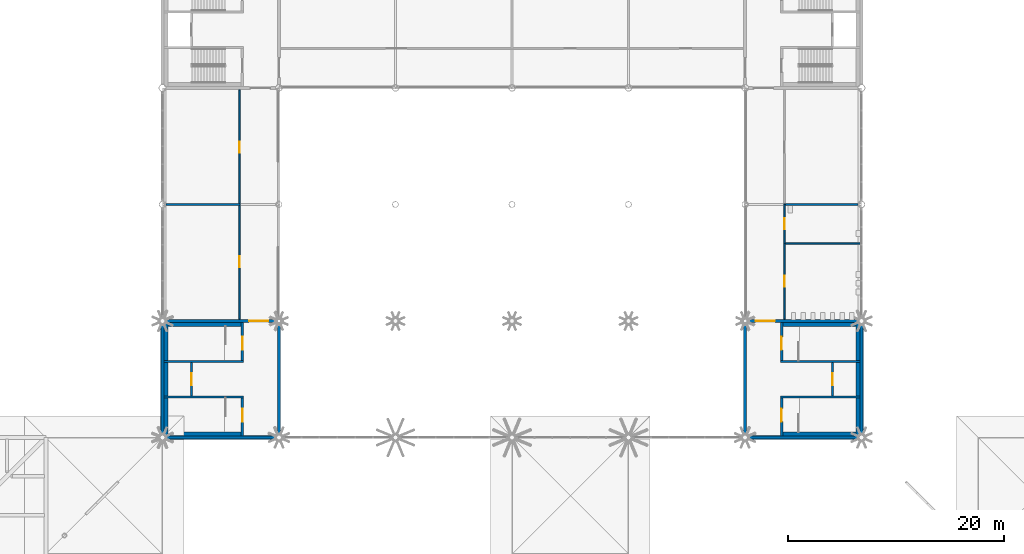
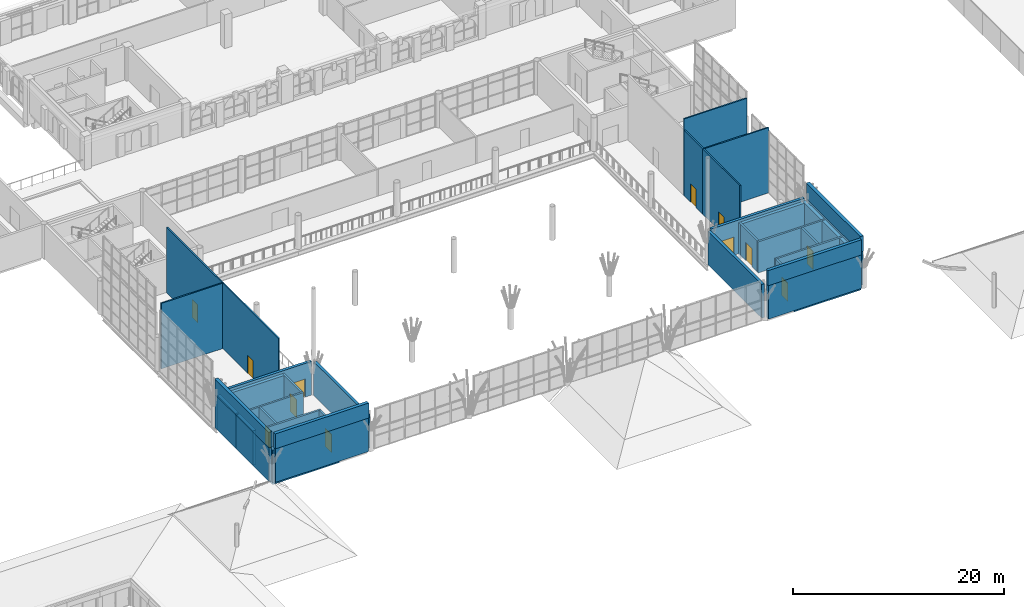
# One storey, part 68 of 95: 39 walls, 12 doors, 12 openings.
"""IFC4 building model written with IfcOpenShell, lengths in metres."""

from ifc_helpers import new_model, si_unit, direction, frame, frame_2d, origin, place, context, subcontext, project, spatial, rectangle, extrude, material, layer, layer_set, type_object, element, fill, save


model = new_model("IFC4")

# Units and contexts
model_context = context("Model", 3, precision=1e-05, world=origin(), true_north=direction((0.0, 1.0)))
body_context = subcontext(model_context, "Body", "Model", "MODEL_VIEW")
ifc_project = project(units=[si_unit("LENGTHUNIT", "METRE"), si_unit("AREAUNIT", "SQUARE_METRE"), si_unit("VOLUMEUNIT", "CUBIC_METRE"), si_unit("PLANEANGLEUNIT", "RADIAN"), si_unit("MASSUNIT", "GRAM", prefix="KILO")], contexts=[model_context])

# Site, building, storey
site_placement = place(None, origin())
site = spatial("IfcSite", under=ifc_project, at=site_placement, CompositionType="ELEMENT")
building_placement = place(site_placement, origin())
building = spatial("IfcBuilding", under=site, at=building_placement, Name="Magnolia Steps Interchange", CompositionType="ELEMENT")
storey_placement = place(building_placement, frame((0.0, 0.0, 4.800048828125)))
storey = spatial("IfcBuildingStorey", under=building, at=storey_placement, Name="L01", CompositionType="ELEMENT", Elevation=4.800048828125)

# Wall, opening, door
ifc_material_1 = material(Name="Concrete C35", Category="concrete")
ifc_layer_1 = layer(ifc_material_1, 0.199951171875)
ifc_layer_set_1 = layer_set([ifc_layer_1], Name="Core enclosure wall 200")
wall_type_1 = type_object("IfcWallType", Name="Core enclosure wall 200", PredefinedType="SOLIDWALL", material=ifc_layer_set_1)
wall_1_placement = place(storey_placement, frame((60.60009765625, 42.550048828125, 0.0), z_axis=(0.0, 0.0, 1.0), x_axis=(0.0, 1.0, 0.0)))
wall_1 = element("IfcWall", 1, at=wall_1_placement, inside=storey, type_object=wall_type_1, Name="L01 HC3 enclosure wall", PredefinedType="SOLIDWALL", context=body_context, shape_type="SweptSolid", body=[
    extrude(rectangle(XDim=3.5, YDim=0.199951171875, at=frame_2d((1.75, 0.0))), origin(), (0.0, 0.0, 1.0), 3.599853515625),
])
opening_1_placement = place(wall_1_placement, frame((1.324951171875, 0.0, 0.0)))
opening_1 = element("IfcOpeningElement", 2, at=opening_1_placement, cuts=wall_1, Name="Opening D-HC3-L01-1", PredefinedType="OPENING", context=body_context, shape_type="SweptSolid", body=[
    extrude(rectangle(XDim=1.199951171875, YDim=2.10009765625, at=frame_2d((0.60009765625, 1.050048828125))), frame((0.0, 0.10986328125, 0.0), z_axis=(0.0, -1.0, 0.0), x_axis=(1.0, 0.0, 0.0)), (0.0, 0.0, 1.0), 0.219970703125),
])
ifc_material_2 = material(Name="Painted steel", Category="steel")
door_type_1 = type_object("IfcDoorType", Name="Stair fire door 1200x2100", OperationType="NOTDEFINED", PredefinedType="DOOR", material=ifc_material_2)
door_1_placement = place(opening_1_placement, frame((1.199951171875, 0.0, 0.0), z_axis=(0.0, 0.0, 1.0), x_axis=(-1.0, 0.0, 0.0)))
door_1 = element("IfcDoor", 3, at=door_1_placement, inside=storey, type_object=door_type_1, Name="Stair door ST5 L01", OperationType="SINGLE_SWING_LEFT", OverallHeight=2.10009765625, OverallWidth=1.199951171875, PredefinedType="DOOR", context=body_context, shape_type="SweptSolid", body=[
    extrude(rectangle(XDim=1.199951171875, YDim=2.10009765625, at=frame_2d((0.60009765625, 1.050048828125))), frame((0.0, 0.02490234375, 0.0), z_axis=(0.0, -1.0, 0.0), x_axis=(1.0, 0.0, 0.0)), (0.0, 0.0, 1.0), 0.050048828125),
])
fill(opening_1, door_1)

# Wall
wall_2_placement = place(storey_placement, frame((60.699951171875, 46.14990234375, 0.0), z_axis=(0.0, 0.0, 1.0), x_axis=(-1.0, 0.0, 0.0)))
element("IfcWall", 4, at=wall_2_placement, inside=storey, type_object=wall_type_1, Name="L01 HC3 enclosure wall", PredefinedType="SOLIDWALL", context=body_context, shape_type="SweptSolid", body=[
    extrude(rectangle(XDim=7.349853515625, YDim=0.199951171875, at=frame_2d((3.6748046875, 0.0))), origin(), (0.0, 0.0, 1.0), 3.599853515625),
])

# Wall, opening, door
wall_3_placement = place(storey_placement, frame((55.89990234375, 46.25, 0.0), z_axis=(0.0, 0.0, 1.0), x_axis=(0.0, 1.0, 0.0)))
wall_3 = element("IfcWall", 5, at=wall_3_placement, inside=storey, type_object=wall_type_1, Name="L01 HC3 enclosure wall", PredefinedType="SOLIDWALL", context=body_context, shape_type="SweptSolid", body=[
    extrude(rectangle(XDim=3.10009765625, YDim=0.199951171875, at=frame_2d((1.550048828125, 0.0))), origin(), (0.0, 0.0, 1.0), 3.599853515625),
])
opening_2_placement = place(wall_3_placement, frame((1.0, 0.0, 0.0)))
opening_2 = element("IfcOpeningElement", 6, at=opening_2_placement, cuts=wall_3, Name="Opening LD", PredefinedType="OPENING", context=body_context, shape_type="SweptSolid", body=[
    extrude(rectangle(XDim=1.10009765625, YDim=2.10009765625, at=frame_2d((0.550048828125, 1.050048828125))), frame((0.0, 0.10986328125, 0.0), z_axis=(0.0, -1.0, 0.0), x_axis=(1.0, 0.0, 0.0)), (0.0, 0.0, 1.0), 0.219970703125),
])
ifc_material_3 = material(Name="Stainless steel grade 304", Category="steel")
door_type_2 = type_object("IfcDoorType", Name="Lift landing door 1100x2100", OperationType="DOUBLE_DOOR_SLIDING", PredefinedType="DOOR", material=ifc_material_3)
door_2_placement = place(opening_2_placement, frame((1.10009765625, 0.0, 0.0), z_axis=(0.0, 0.0, 1.0), x_axis=(-1.0, 0.0, 0.0)))
door_2 = element("IfcDoor", 7, at=door_2_placement, inside=storey, type_object=door_type_2, Name="Lift landing door LF3 L01", OperationType="DOUBLE_DOOR_SLIDING", OverallHeight=2.10009765625, OverallWidth=1.10009765625, PredefinedType="DOOR", context=body_context, shape_type="SweptSolid", body=[
    extrude(rectangle(XDim=1.10009765625, YDim=2.10009765625, at=frame_2d((0.550048828125, 1.050048828125))), frame((0.0, 0.02490234375, 0.0), z_axis=(0.0, -1.0, 0.0), x_axis=(1.0, 0.0, 0.0)), (0.0, 0.0, 1.0), 0.050048828125),
])
fill(opening_2, door_2)

# Wall
wall_4_placement = place(storey_placement, frame((60.699951171875, 49.449951171875, 0.0), z_axis=(0.0, 0.0, 1.0), x_axis=(-1.0, 0.0, 0.0)))
element("IfcWall", 8, at=wall_4_placement, inside=storey, type_object=wall_type_1, Name="L01 HC3 enclosure wall", PredefinedType="SOLIDWALL", context=body_context, shape_type="SweptSolid", body=[
    extrude(rectangle(XDim=7.349853515625, YDim=0.199951171875, at=frame_2d((3.6748046875, 0.0))), origin(), (0.0, 0.0, 1.0), 3.599853515625),
])

# Wall, opening, door
wall_5_placement = place(storey_placement, frame((60.60009765625, 49.550048828125, 0.0), z_axis=(0.0, 0.0, 1.0), x_axis=(0.0, 1.0, 0.0)))
wall_5 = element("IfcWall", 9, at=wall_5_placement, inside=storey, type_object=wall_type_1, Name="L01 HC3 enclosure wall", PredefinedType="SOLIDWALL", context=body_context, shape_type="SweptSolid", body=[
    extrude(rectangle(XDim=3.5, YDim=0.199951171875, at=frame_2d((1.75, 0.0))), origin(), (0.0, 0.0, 1.0), 3.599853515625),
])
opening_3_placement = place(wall_5_placement, frame((0.97509765625, 0.0, 0.0)))
opening_3 = element("IfcOpeningElement", 10, at=opening_3_placement, cuts=wall_5, Name="Opening D-HC3-L01-2", PredefinedType="OPENING", context=body_context, shape_type="SweptSolid", body=[
    extrude(rectangle(XDim=1.199951171875, YDim=2.10009765625, at=frame_2d((0.60009765625, 1.050048828125))), frame((0.0, 0.10986328125, 0.0), z_axis=(0.0, -1.0, 0.0), x_axis=(1.0, 0.0, 0.0)), (0.0, 0.0, 1.0), 0.219970703125),
])
door_3_placement = place(opening_3_placement, frame((1.199951171875, 0.0, 0.0), z_axis=(0.0, 0.0, 1.0), x_axis=(-1.0, 0.0, 0.0)))
door_3 = element("IfcDoor", 11, at=door_3_placement, inside=storey, type_object=door_type_1, Name="Stair door ST6 L01", OperationType="SINGLE_SWING_RIGHT", OverallHeight=2.10009765625, OverallWidth=1.199951171875, PredefinedType="DOOR", context=body_context, shape_type="SweptSolid", body=[
    extrude(rectangle(XDim=1.199951171875, YDim=2.10009765625, at=frame_2d((0.60009765625, 1.050048828125))), frame((0.0, 0.02490234375, 0.0), z_axis=(0.0, -1.0, 0.0), x_axis=(1.0, 0.0, 0.0)), (0.0, 0.0, 1.0), 0.050048828125),
])
fill(opening_3, door_3)

wall_6_placement = place(storey_placement, frame((110.60009765625, 53.050048828125, 0.0), z_axis=(0.0, 0.0, 1.0), x_axis=(0.0, -1.0, 0.0)))
wall_6 = element("IfcWall", 12, at=wall_6_placement, inside=storey, type_object=wall_type_1, Name="L01 HC4 enclosure wall", PredefinedType="SOLIDWALL", context=body_context, shape_type="SweptSolid", body=[
    extrude(rectangle(XDim=3.5, YDim=0.199951171875, at=frame_2d((1.75, 0.0))), origin(), (0.0, 0.0, 1.0), 3.599853515625),
])
opening_4_placement = place(wall_6_placement, frame((1.324951171875, 0.0, 0.0)))
opening_4 = element("IfcOpeningElement", 13, at=opening_4_placement, cuts=wall_6, Name="Opening D-HC4-L01-1", PredefinedType="OPENING", context=body_context, shape_type="SweptSolid", body=[
    extrude(rectangle(XDim=1.199951171875, YDim=2.10009765625, at=frame_2d((0.60009765625, 1.050048828125))), frame((0.0, 0.10986328125, 0.0), z_axis=(0.0, -1.0, 0.0), x_axis=(1.0, 0.0, 0.0)), (0.0, 0.0, 1.0), 0.219970703125),
])
door_4_placement = place(opening_4_placement, frame((1.199951171875, 0.0, 0.0), z_axis=(0.0, 0.0, 1.0), x_axis=(-1.0, 0.0, 0.0)))
door_4 = element("IfcDoor", 14, at=door_4_placement, inside=storey, type_object=door_type_1, Name="Stair door ST7 L01", OperationType="SINGLE_SWING_LEFT", OverallHeight=2.10009765625, OverallWidth=1.199951171875, PredefinedType="DOOR", context=body_context, shape_type="SweptSolid", body=[
    extrude(rectangle(XDim=1.199951171875, YDim=2.10009765625, at=frame_2d((0.60009765625, 1.050048828125))), frame((0.0, 0.02490234375, 0.0), z_axis=(0.0, -1.0, 0.0), x_axis=(1.0, 0.0, 0.0)), (0.0, 0.0, 1.0), 0.050048828125),
])
fill(opening_4, door_4)

# Wall
wall_7_placement = place(storey_placement, frame((110.5, 49.449951171875, 0.0), z_axis=(0.0, 0.0, 1.0), x_axis=(1.0, 0.0, 0.0)))
element("IfcWall", 15, at=wall_7_placement, inside=storey, type_object=wall_type_1, Name="L01 HC4 enclosure wall", PredefinedType="SOLIDWALL", context=body_context, shape_type="SweptSolid", body=[
    extrude(rectangle(XDim=7.35009765625, YDim=0.199951171875, at=frame_2d((3.675048828125, 0.0))), origin(), (0.0, 0.0, 1.0), 3.599853515625),
])

# Wall, opening, door
wall_8_placement = place(storey_placement, frame((115.300048828125, 49.35009765625, 0.0), z_axis=(0.0, 0.0, 1.0), x_axis=(0.0, -1.0, 0.0)))
wall_8 = element("IfcWall", 16, at=wall_8_placement, inside=storey, type_object=wall_type_1, Name="L01 HC4 enclosure wall", PredefinedType="SOLIDWALL", context=body_context, shape_type="SweptSolid", body=[
    extrude(rectangle(XDim=3.10009765625, YDim=0.199951171875, at=frame_2d((1.550048828125, 0.0))), origin(), (0.0, 0.0, 1.0), 3.599853515625),
])
opening_5_placement = place(wall_8_placement, frame((1.0, 0.0, 0.0)))
opening_5 = element("IfcOpeningElement", 17, at=opening_5_placement, cuts=wall_8, Name="Opening LD", PredefinedType="OPENING", context=body_context, shape_type="SweptSolid", body=[
    extrude(rectangle(XDim=1.10009765625, YDim=2.10009765625, at=frame_2d((0.550048828125, 1.050048828125))), frame((0.0, 0.10986328125, 0.0), z_axis=(0.0, -1.0, 0.0), x_axis=(1.0, 0.0, 0.0)), (0.0, 0.0, 1.0), 0.219970703125),
])
door_5_placement = place(opening_5_placement, frame((1.10009765625, 0.0, 0.0), z_axis=(0.0, 0.0, 1.0), x_axis=(-1.0, 0.0, 0.0)))
door_5 = element("IfcDoor", 18, at=door_5_placement, inside=storey, type_object=door_type_2, Name="Lift landing door LF4 L01", OperationType="DOUBLE_DOOR_SLIDING", OverallHeight=2.10009765625, OverallWidth=1.10009765625, PredefinedType="DOOR", context=body_context, shape_type="SweptSolid", body=[
    extrude(rectangle(XDim=1.10009765625, YDim=2.10009765625, at=frame_2d((0.550048828125, 1.050048828125))), frame((0.0, 0.02490234375, 0.0), z_axis=(0.0, -1.0, 0.0), x_axis=(1.0, 0.0, 0.0)), (0.0, 0.0, 1.0), 0.050048828125),
])
fill(opening_5, door_5)

# Wall
wall_9_placement = place(storey_placement, frame((110.5, 46.14990234375, 0.0), z_axis=(0.0, 0.0, 1.0), x_axis=(1.0, 0.0, 0.0)))
element("IfcWall", 19, at=wall_9_placement, inside=storey, type_object=wall_type_1, Name="L01 HC4 enclosure wall", PredefinedType="SOLIDWALL", context=body_context, shape_type="SweptSolid", body=[
    extrude(rectangle(XDim=7.35009765625, YDim=0.199951171875, at=frame_2d((3.675048828125, 0.0))), origin(), (0.0, 0.0, 1.0), 3.599853515625),
])

# Wall, opening, door
wall_10_placement = place(storey_placement, frame((110.60009765625, 46.050048828125, 0.0), z_axis=(0.0, 0.0, 1.0), x_axis=(0.0, -1.0, 0.0)))
wall_10 = element("IfcWall", 20, at=wall_10_placement, inside=storey, type_object=wall_type_1, Name="L01 HC4 enclosure wall", PredefinedType="SOLIDWALL", context=body_context, shape_type="SweptSolid", body=[
    extrude(rectangle(XDim=3.5, YDim=0.199951171875, at=frame_2d((1.75, 0.0))), origin(), (0.0, 0.0, 1.0), 3.599853515625),
])
opening_6_placement = place(wall_10_placement, frame((0.97509765625, 0.0, 0.0)))
opening_6 = element("IfcOpeningElement", 21, at=opening_6_placement, cuts=wall_10, Name="Opening D-HC4-L01-2", PredefinedType="OPENING", context=body_context, shape_type="SweptSolid", body=[
    extrude(rectangle(XDim=1.199951171875, YDim=2.10009765625, at=frame_2d((0.60009765625, 1.050048828125))), frame((0.0, 0.10986328125, 0.0), z_axis=(0.0, -1.0, 0.0), x_axis=(1.0, 0.0, 0.0)), (0.0, 0.0, 1.0), 0.219970703125),
])
door_6_placement = place(opening_6_placement, frame((1.199951171875, 0.0, 0.0), z_axis=(0.0, 0.0, 1.0), x_axis=(-1.0, 0.0, 0.0)))
door_6 = element("IfcDoor", 22, at=door_6_placement, inside=storey, type_object=door_type_1, Name="Stair door ST8 L01", OperationType="SINGLE_SWING_RIGHT", OverallHeight=2.10009765625, OverallWidth=1.199951171875, PredefinedType="DOOR", context=body_context, shape_type="SweptSolid", body=[
    extrude(rectangle(XDim=1.199951171875, YDim=2.10009765625, at=frame_2d((0.60009765625, 1.050048828125))), frame((0.0, 0.02490234375, 0.0), z_axis=(0.0, -1.0, 0.0), x_axis=(1.0, 0.0, 0.0)), (0.0, 0.0, 1.0), 0.050048828125),
])
fill(opening_6, door_6)

# Walls
ifc_material_4 = material(Name="Concrete C35", Category="concrete")
ifc_layer_2 = layer(ifc_material_4, 0.35009765625)
ifc_layer_set_2 = layer_set([ifc_layer_2], Name="Core lining wall 350")
wall_type_2 = type_object("IfcWallType", Name="Core lining wall 350", PredefinedType="SOLIDWALL", material=ifc_layer_set_2)
wall_11_placement = place(storey_placement, frame((60.699951171875, 42.72509765625, -0.400146484375), z_axis=(0.0, 0.0, 1.0), x_axis=(-1.0, 0.0, 0.0)))
element("IfcWall", 23, at=wall_11_placement, inside=storey, type_object=wall_type_2, Name="L01 HC3 stair lining wall", PredefinedType="SOLIDWALL", context=body_context, shape_type="SweptSolid", body=[
    extrude(rectangle(XDim=7.349853515625, YDim=0.35009765625, at=frame_2d((3.6748046875, 0.0))), origin(), (0.0, 0.0, 1.0), 4.0),
])
wall_12_placement = place(storey_placement, frame((53.52490234375, 42.550048828125, -0.400146484375), z_axis=(0.0, 0.0, 1.0), x_axis=(0.0, 1.0, 0.0)))
element("IfcWall", 24, at=wall_12_placement, inside=storey, type_object=wall_type_2, Name="L01 HC3 stair lining wall", PredefinedType="SOLIDWALL", context=body_context, shape_type="SweptSolid", body=[
    extrude(rectangle(XDim=3.5, YDim=0.35009765625, at=frame_2d((1.75, 0.0))), origin(), (0.0, 0.0, 1.0), 4.0),
])
wall_13_placement = place(storey_placement, frame((60.699951171875, 52.875, -0.400146484375), z_axis=(0.0, 0.0, 1.0), x_axis=(-1.0, 0.0, 0.0)))
element("IfcWall", 25, at=wall_13_placement, inside=storey, type_object=wall_type_2, Name="L01 HC3 stair lining wall", PredefinedType="SOLIDWALL", context=body_context, shape_type="SweptSolid", body=[
    extrude(rectangle(XDim=7.349853515625, YDim=0.35009765625, at=frame_2d((3.6748046875, 0.0))), origin(), (0.0, 0.0, 1.0), 4.0),
])
wall_14_placement = place(storey_placement, frame((53.52490234375, 49.550048828125, -0.400146484375), z_axis=(0.0, 0.0, 1.0), x_axis=(0.0, 1.0, 0.0)))
element("IfcWall", 26, at=wall_14_placement, inside=storey, type_object=wall_type_2, Name="L01 HC3 stair lining wall", PredefinedType="SOLIDWALL", context=body_context, shape_type="SweptSolid", body=[
    extrude(rectangle(XDim=3.5, YDim=0.35009765625, at=frame_2d((1.75, 0.0))), origin(), (0.0, 0.0, 1.0), 4.0),
])
wall_15_placement = place(storey_placement, frame((53.52490234375, 46.25, -0.400146484375), z_axis=(0.0, 0.0, 1.0), x_axis=(0.0, 1.0, 0.0)))
element("IfcWall", 27, at=wall_15_placement, inside=storey, type_object=wall_type_2, Name="L01 HC3 stair lining wall", PredefinedType="SOLIDWALL", context=body_context, shape_type="SweptSolid", body=[
    extrude(rectangle(XDim=3.10009765625, YDim=0.35009765625, at=frame_2d((1.550048828125, 0.0))), origin(), (0.0, 0.0, 1.0), 4.0),
])
wall_16_placement = place(storey_placement, frame((110.5, 52.875, -0.400146484375), z_axis=(0.0, 0.0, 1.0), x_axis=(1.0, 0.0, 0.0)))
element("IfcWall", 28, at=wall_16_placement, inside=storey, type_object=wall_type_2, Name="L01 HC4 stair lining wall", PredefinedType="SOLIDWALL", context=body_context, shape_type="SweptSolid", body=[
    extrude(rectangle(XDim=7.35009765625, YDim=0.35009765625, at=frame_2d((3.675048828125, 0.0))), origin(), (0.0, 0.0, 1.0), 4.0),
])
wall_17_placement = place(storey_placement, frame((117.675048828125, 53.050048828125, -0.400146484375), z_axis=(0.0, 0.0, 1.0), x_axis=(0.0, -1.0, 0.0)))
element("IfcWall", 29, at=wall_17_placement, inside=storey, type_object=wall_type_2, Name="L01 HC4 stair lining wall", PredefinedType="SOLIDWALL", context=body_context, shape_type="SweptSolid", body=[
    extrude(rectangle(XDim=3.5, YDim=0.35009765625, at=frame_2d((1.75, 0.0))), origin(), (0.0, 0.0, 1.0), 4.0),
])
wall_18_placement = place(storey_placement, frame((110.5, 42.72509765625, -0.400146484375), z_axis=(0.0, 0.0, 1.0), x_axis=(1.0, 0.0, 0.0)))
element("IfcWall", 30, at=wall_18_placement, inside=storey, type_object=wall_type_2, Name="L01 HC4 stair lining wall", PredefinedType="SOLIDWALL", context=body_context, shape_type="SweptSolid", body=[
    extrude(rectangle(XDim=7.35009765625, YDim=0.35009765625, at=frame_2d((3.675048828125, 0.0))), origin(), (0.0, 0.0, 1.0), 4.0),
])
wall_19_placement = place(storey_placement, frame((117.675048828125, 46.050048828125, -0.400146484375), z_axis=(0.0, 0.0, 1.0), x_axis=(0.0, -1.0, 0.0)))
element("IfcWall", 31, at=wall_19_placement, inside=storey, type_object=wall_type_2, Name="L01 HC4 stair lining wall", PredefinedType="SOLIDWALL", context=body_context, shape_type="SweptSolid", body=[
    extrude(rectangle(XDim=3.5, YDim=0.35009765625, at=frame_2d((1.75, 0.0))), origin(), (0.0, 0.0, 1.0), 4.0),
])
wall_20_placement = place(storey_placement, frame((117.675048828125, 49.35009765625, -0.400146484375), z_axis=(0.0, 0.0, 1.0), x_axis=(0.0, -1.0, 0.0)))
element("IfcWall", 32, at=wall_20_placement, inside=storey, type_object=wall_type_2, Name="L01 HC4 stair lining wall", PredefinedType="SOLIDWALL", context=body_context, shape_type="SweptSolid", body=[
    extrude(rectangle(XDim=3.10009765625, YDim=0.35009765625, at=frame_2d((1.550048828125, 0.0))), origin(), (0.0, 0.0, 1.0), 4.0),
])
ifc_material_5 = material(Name="Concrete C40", Category="concrete")
ifc_layer_3 = layer(ifc_material_5, 0.300048828125)
ifc_layer_set_3 = layer_set([ifc_layer_3], Name="Core wall 300")
wall_type_3 = type_object("IfcWallType", Name="Core wall 300", PredefinedType="SOLIDWALL", material=ifc_layer_set_3)
wall_21_placement = place(storey_placement, frame((53.5048828125, 42.39990234375, 0.0), z_axis=(0.0, 0.0, 1.0), x_axis=(1.0, 0.0, 0.0)))
element("IfcWall", 33, at=wall_21_placement, inside=storey, type_object=wall_type_3, Name="Core wall HC3", PredefinedType="SOLIDWALL", context=body_context, shape_type="SweptSolid", body=[
    extrude(rectangle(XDim=10.190185546875, YDim=0.300048828125, at=frame_2d((5.09521484375, 0.0))), origin(), (0.0, 0.0, 1.0), 3.89990234375),
])
wall_22_placement = place(storey_placement, frame((64.0, 42.705078125, 0.0), z_axis=(0.0, 0.0, 1.0), x_axis=(0.0, 1.0, 0.0)))
element("IfcWall", 34, at=wall_22_placement, inside=storey, type_object=wall_type_3, Name="Core wall HC3", PredefinedType="SOLIDWALL", context=body_context, shape_type="SweptSolid", body=[
    extrude(rectangle(XDim=10.21533203125, YDim=0.300048828125, at=frame_2d((5.107666015625, 0.0))), origin(), (0.0, 0.0, 1.0), 3.89990234375),
])

# Wall, opening, door
wall_23_placement = place(storey_placement, frame((63.720458984375, 53.199951171875, 0.0), z_axis=(0.0, 0.0, 1.0), x_axis=(-1.0, 0.0, 0.0)))
wall_23 = element("IfcWall", 35, at=wall_23_placement, inside=storey, type_object=wall_type_3, Name="Core wall HC3", PredefinedType="SOLIDWALL", context=body_context, shape_type="SweptSolid", body=[
    extrude(rectangle(XDim=10.215576171875, YDim=0.300048828125, at=frame_2d((5.10791015625, 0.0))), origin(), (0.0, 0.0, 1.0), 3.89990234375),
])
opening_7_placement = place(wall_23_placement, frame((0.695556640625, 0.0, 0.0)))
opening_7 = element("IfcOpeningElement", 36, at=opening_7_placement, cuts=wall_23, Name="Opening D-HC3-L01-3", PredefinedType="OPENING", context=body_context, shape_type="SweptSolid", body=[
    extrude(rectangle(XDim=1.800048828125, YDim=2.10009765625, at=frame_2d((0.89990234375, 1.050048828125))), frame((0.0, 0.159912109375, 0.0), z_axis=(0.0, -1.0, 0.0), x_axis=(1.0, 0.0, 0.0)), (0.0, 0.0, 1.0), 0.320068359375),
])
ifc_material_6 = material(Name="Timber and glass", Category="wood")
door_type_3 = type_object("IfcDoorType", Name="Core entrance door pair 1800x2100", OperationType="DOUBLE_DOOR_DOUBLE_SWING", PredefinedType="DOOR", material=ifc_material_6)
door_7_placement = place(opening_7_placement, frame((1.800048828125, 0.0, 0.0), z_axis=(0.0, 0.0, 1.0), x_axis=(-1.0, 0.0, 0.0)))
door_7 = element("IfcDoor", 37, at=door_7_placement, inside=storey, type_object=door_type_3, Name="Core entrance door HC3 L01", OperationType="DOUBLE_DOOR_DOUBLE_SWING", OverallHeight=2.10009765625, OverallWidth=1.800048828125, PredefinedType="DOOR", context=body_context, shape_type="SweptSolid", body=[
    extrude(rectangle(XDim=1.800048828125, YDim=2.10009765625, at=frame_2d((0.89990234375, 1.050048828125))), frame((0.0, 0.02490234375, 0.0), z_axis=(0.0, -1.0, 0.0), x_axis=(1.0, 0.0, 0.0)), (0.0, 0.0, 1.0), 0.050048828125),
])
fill(opening_7, door_7)

# Walls
wall_24_placement = place(storey_placement, frame((53.199951171875, 52.89501953125, 0.0), z_axis=(0.0, 0.0, 1.0), x_axis=(0.0, -1.0, 0.0)))
element("IfcWall", 38, at=wall_24_placement, inside=storey, type_object=wall_type_3, Name="Core wall HC3", PredefinedType="SOLIDWALL", context=body_context, shape_type="SweptSolid", body=[
    extrude(rectangle(XDim=10.18994140625, YDim=0.300048828125, at=frame_2d((5.094970703125, 0.0))), origin(), (0.0, 0.0, 1.0), 3.89990234375),
])
wall_25_placement = place(storey_placement, frame((107.5048828125, 42.39990234375, 0.0), z_axis=(0.0, 0.0, 1.0), x_axis=(1.0, 0.0, 0.0)))
element("IfcWall", 39, at=wall_25_placement, inside=storey, type_object=wall_type_3, Name="Core wall HC4", PredefinedType="SOLIDWALL", context=body_context, shape_type="SweptSolid", body=[
    extrude(rectangle(XDim=10.190185546875, YDim=0.300048828125, at=frame_2d((5.09521484375, 0.0))), origin(), (0.0, 0.0, 1.0), 3.89990234375),
])
wall_26_placement = place(storey_placement, frame((118.0, 42.705078125, 0.0), z_axis=(0.0, 0.0, 1.0), x_axis=(0.0, 1.0, 0.0)))
element("IfcWall", 40, at=wall_26_placement, inside=storey, type_object=wall_type_3, Name="Core wall HC4", PredefinedType="SOLIDWALL", context=body_context, shape_type="SweptSolid", body=[
    extrude(rectangle(XDim=10.18994140625, YDim=0.300048828125, at=frame_2d((5.094970703125, 0.0))), origin(), (0.0, 0.0, 1.0), 3.89990234375),
])

# Wall, opening, door
wall_27_placement = place(storey_placement, frame((117.695068359375, 53.199951171875, 0.0), z_axis=(0.0, 0.0, 1.0), x_axis=(-1.0, 0.0, 0.0)))
wall_27 = element("IfcWall", 41, at=wall_27_placement, inside=storey, type_object=wall_type_3, Name="Core wall HC4", PredefinedType="SOLIDWALL", context=body_context, shape_type="SweptSolid", body=[
    extrude(rectangle(XDim=10.215576171875, YDim=0.300048828125, at=frame_2d((5.10791015625, 0.0))), origin(), (0.0, 0.0, 1.0), 3.89990234375),
])
opening_8_placement = place(wall_27_placement, frame((7.719970703125, 0.0, 0.0)))
opening_8 = element("IfcOpeningElement", 42, at=opening_8_placement, cuts=wall_27, Name="Opening D-HC4-L01-3", PredefinedType="OPENING", context=body_context, shape_type="SweptSolid", body=[
    extrude(rectangle(XDim=1.800048828125, YDim=2.10009765625, at=frame_2d((0.89990234375, 1.050048828125))), frame((0.0, 0.159912109375, 0.0), z_axis=(0.0, -1.0, 0.0), x_axis=(1.0, 0.0, 0.0)), (0.0, 0.0, 1.0), 0.320068359375),
])
door_8_placement = place(opening_8_placement, frame((1.800048828125, 0.0, 0.0), z_axis=(0.0, 0.0, 1.0), x_axis=(-1.0, 0.0, 0.0)))
door_8 = element("IfcDoor", 43, at=door_8_placement, inside=storey, type_object=door_type_3, Name="Core entrance door HC4 L01", OperationType="DOUBLE_DOOR_DOUBLE_SWING", OverallHeight=2.10009765625, OverallWidth=1.800048828125, PredefinedType="DOOR", context=body_context, shape_type="SweptSolid", body=[
    extrude(rectangle(XDim=1.800048828125, YDim=2.10009765625, at=frame_2d((0.89990234375, 1.050048828125))), frame((0.0, 0.02490234375, 0.0), z_axis=(0.0, -1.0, 0.0), x_axis=(1.0, 0.0, 0.0)), (0.0, 0.0, 1.0), 0.050048828125),
])
fill(opening_8, door_8)

# Walls
wall_28_placement = place(storey_placement, frame((107.199951171875, 52.92041015625, 0.0), z_axis=(0.0, 0.0, 1.0), x_axis=(0.0, -1.0, 0.0)))
element("IfcWall", 44, at=wall_28_placement, inside=storey, type_object=wall_type_3, Name="Core wall HC4", PredefinedType="SOLIDWALL", context=body_context, shape_type="SweptSolid", body=[
    extrude(rectangle(XDim=10.21533203125, YDim=0.300048828125, at=frame_2d((5.107666015625, 0.0))), origin(), (0.0, 0.0, 1.0), 3.89990234375),
])
ifc_material_7 = material(Name="Lime render on masonry", Category="masonry")
ifc_layer_4 = layer(ifc_material_7, 0.35009765625)
ifc_layer_set_4 = layer_set([ifc_layer_4], Name="Lime render wall 350")
wall_type_4 = type_object("IfcWallType", Name="Lime render wall 350", PredefinedType="SOLIDWALL", material=ifc_layer_set_4)
for number, where, z_axis, x_axis, name in (
    (45, (53.47998046875, 42.39990234375, 3.89990234375), (0.0, 0.0, 1.0), (1.0, 0.0, 0.0), "Hall core upper wall S1"),
    (46, (107.47998046875, 42.39990234375, 3.89990234375), (0.0, 0.0, 1.0), (1.0, 0.0, 0.0), "Hall core upper wall S6"),
):
    element("IfcWall", number, at=place(storey_placement, frame(where, z_axis=z_axis, x_axis=x_axis)), inside=storey, type_object=wall_type_4, Name=name, PredefinedType="SOLIDWALL", context=body_context, shape_type="SweptSolid", body=[
        extrude(rectangle(XDim=10.239990234375, YDim=0.35009765625, at=frame_2d((5.1201171875, 0.0))), origin(), (0.0, 0.0, 1.0), 1.7431640625),
    ])
for number, where, z_axis, x_axis, name in (
    (47, (53.199951171875, 42.679931640625, 3.89990234375), (0.0, 0.0, 1.0), (0.0, 1.0, 0.0), "Hall core upper wall W1"),
    (48, (118.0, 42.679931640625, 3.89990234375), (0.0, 0.0, 1.0), (0.0, 1.0, 0.0), "Hall core upper wall E1"),
):
    element("IfcWall", number, at=place(storey_placement, frame(where, z_axis=z_axis, x_axis=x_axis)), inside=storey, type_object=wall_type_4, Name=name, PredefinedType="SOLIDWALL", context=body_context, shape_type="SweptSolid", body=[
        extrude(rectangle(XDim=10.239990234375, YDim=0.35009765625, at=frame_2d((5.1201171875, 0.0))), origin(), (0.0, 0.0, 1.0), 1.794189453125),
    ])

# Wall, opening, door
ifc_material_8 = material(Name="Fair-faced blockwork", Category="masonry")
ifc_layer_5 = layer(ifc_material_8, 0.14990234375)
ifc_layer_set_5 = layer_set([ifc_layer_5], Name="Partition wall 150")
wall_type_5 = type_object("IfcWallType", Name="Partition wall 150", PredefinedType="PARTITIONING", material=ifc_layer_set_5)
wall_29_placement = place(storey_placement, frame((60.324951171875, 53.3798828125, 0.0), z_axis=(0.0, 0.0, 1.0), x_axis=(0.0, 1.0, 0.0)))
wall_29 = element("IfcWall", 49, at=wall_29_placement, inside=storey, type_object=wall_type_5, Name="L01 partition 4", PredefinedType="PARTITIONING", context=body_context, shape_type="SweptSolid", body=[
    extrude(rectangle(XDim=10.6201171875, YDim=0.14990234375, at=frame_2d((5.31005859375, 0.0))), origin(), (0.0, 0.0, 1.0), 7.574462890625),
])
opening_9_placement = place(wall_29_placement, frame((4.81005859375, 0.0, 0.0)))
opening_9 = element("IfcOpeningElement", 50, at=opening_9_placement, cuts=wall_29, Name="Opening D-L01-4", PredefinedType="OPENING", context=body_context, shape_type="SweptSolid", body=[
    extrude(rectangle(XDim=1.0, YDim=2.10009765625, at=frame_2d((0.5, 1.050048828125))), frame((0.0, 0.0849609375, 0.0), z_axis=(0.0, -1.0, 0.0), x_axis=(1.0, 0.0, 0.0)), (0.0, 0.0, 1.0), 0.169921875),
])
ifc_material_9 = material(Name="Timber", Category="wood")
door_type_4 = type_object("IfcDoorType", Name="Room door 1000x2100", OperationType="NOTDEFINED", PredefinedType="DOOR", material=ifc_material_9)
door_9_placement = place(opening_9_placement, origin())
door_9 = element("IfcDoor", 51, at=door_9_placement, inside=storey, type_object=door_type_4, Name="Metro Information Gallery door", OperationType="SINGLE_SWING_LEFT", OverallHeight=2.10009765625, OverallWidth=1.0, PredefinedType="DOOR", context=body_context, shape_type="SweptSolid", body=[
    extrude(rectangle(XDim=1.0, YDim=2.10009765625, at=frame_2d((0.5, 1.050048828125))), frame((0.0, 0.02490234375, 0.0), z_axis=(0.0, -1.0, 0.0), x_axis=(1.0, 0.0, 0.0)), (0.0, 0.0, 1.0), 0.050048828125),
])
fill(opening_9, door_9)

wall_30_placement = place(storey_placement, frame((60.324951171875, 64.0, 0.0), z_axis=(0.0, 0.0, 1.0), x_axis=(0.0, 1.0, 0.0)))
wall_30 = element("IfcWall", 52, at=wall_30_placement, inside=storey, type_object=wall_type_5, Name="L01 partition 5", PredefinedType="PARTITIONING", context=body_context, shape_type="SweptSolid", body=[
    extrude(rectangle(XDim=10.6201171875, YDim=0.14990234375, at=frame_2d((5.31005859375, 0.0))), origin(), (0.0, 0.0, 1.0), 7.574462890625),
])
opening_10_placement = place(wall_30_placement, frame((4.81005859375, 0.0, 0.0)))
opening_10 = element("IfcOpeningElement", 53, at=opening_10_placement, cuts=wall_30, Name="Opening D-L01-5", PredefinedType="OPENING", context=body_context, shape_type="SweptSolid", body=[
    extrude(rectangle(XDim=1.0, YDim=2.10009765625, at=frame_2d((0.5, 1.050048828125))), frame((0.0, 0.0849609375, 0.0), z_axis=(0.0, -1.0, 0.0), x_axis=(1.0, 0.0, 0.0)), (0.0, 0.0, 1.0), 0.169921875),
])
door_10_placement = place(opening_10_placement, origin())
door_10 = element("IfcDoor", 54, at=door_10_placement, inside=storey, type_object=door_type_4, Name="Retail Unit 5 door", OperationType="SINGLE_SWING_RIGHT", OverallHeight=2.10009765625, OverallWidth=1.0, PredefinedType="DOOR", context=body_context, shape_type="SweptSolid", body=[
    extrude(rectangle(XDim=1.0, YDim=2.10009765625, at=frame_2d((0.5, 1.050048828125))), frame((0.0, 0.02490234375, 0.0), z_axis=(0.0, -1.0, 0.0), x_axis=(1.0, 0.0, 0.0)), (0.0, 0.0, 1.0), 0.050048828125),
])
fill(opening_10, door_10)

wall_31_placement = place(storey_placement, frame((110.875, 53.3798828125, 0.0), z_axis=(0.0, 0.0, 1.0), x_axis=(0.0, 1.0, 0.0)))
wall_31 = element("IfcWall", 55, at=wall_31_placement, inside=storey, type_object=wall_type_5, Name="L01 partition 6", PredefinedType="PARTITIONING", context=body_context, shape_type="SweptSolid", body=[
    extrude(rectangle(XDim=7.02001953125, YDim=0.14990234375, at=frame_2d((3.510009765625, 0.0))), origin(), (0.0, 0.0, 1.0), 7.574462890625),
])
opening_11_placement = place(wall_31_placement, frame((3.010009765625, 0.0, 0.0)))
opening_11 = element("IfcOpeningElement", 56, at=opening_11_placement, cuts=wall_31, Name="Opening D-L01-6", PredefinedType="OPENING", context=body_context, shape_type="SweptSolid", body=[
    extrude(rectangle(XDim=1.0, YDim=2.10009765625, at=frame_2d((0.5, 1.050048828125))), frame((0.0, 0.0849609375, 0.0), z_axis=(0.0, -1.0, 0.0), x_axis=(1.0, 0.0, 0.0)), (0.0, 0.0, 1.0), 0.169921875),
])
door_11_placement = place(opening_11_placement, frame((1.0, 0.0, 0.0), z_axis=(0.0, 0.0, 1.0), x_axis=(-1.0, 0.0, 0.0)))
door_11 = element("IfcDoor", 57, at=door_11_placement, inside=storey, type_object=door_type_4, Name="Public Toilets door", OperationType="SINGLE_SWING_RIGHT", OverallHeight=2.10009765625, OverallWidth=1.0, PredefinedType="DOOR", context=body_context, shape_type="SweptSolid", body=[
    extrude(rectangle(XDim=1.0, YDim=2.10009765625, at=frame_2d((0.5, 1.050048828125))), frame((0.0, 0.02490234375, 0.0), z_axis=(0.0, -1.0, 0.0), x_axis=(1.0, 0.0, 0.0)), (0.0, 0.0, 1.0), 0.050048828125),
])
fill(opening_11, door_11)

wall_32_placement = place(storey_placement, frame((110.875, 60.39990234375, 0.0), z_axis=(0.0, 0.0, 1.0), x_axis=(0.0, 1.0, 0.0)))
wall_32 = element("IfcWall", 58, at=wall_32_placement, inside=storey, type_object=wall_type_5, Name="L01 partition 7", PredefinedType="PARTITIONING", context=body_context, shape_type="SweptSolid", body=[
    extrude(rectangle(XDim=3.60009765625, YDim=0.14990234375, at=frame_2d((1.800048828125, 0.0))), origin(), (0.0, 0.0, 1.0), 7.574462890625),
])
opening_12_placement = place(wall_32_placement, frame((1.300048828125, 0.0, 0.0)))
opening_12 = element("IfcOpeningElement", 59, at=opening_12_placement, cuts=wall_32, Name="Opening D-L01-7", PredefinedType="OPENING", context=body_context, shape_type="SweptSolid", body=[
    extrude(rectangle(XDim=1.0, YDim=2.10009765625, at=frame_2d((0.5, 1.050048828125))), frame((0.0, 0.0849609375, 0.0), z_axis=(0.0, -1.0, 0.0), x_axis=(1.0, 0.0, 0.0)), (0.0, 0.0, 1.0), 0.169921875),
])
door_12_placement = place(opening_12_placement, frame((1.0, 0.0, 0.0), z_axis=(0.0, 0.0, 1.0), x_axis=(-1.0, 0.0, 0.0)))
door_12 = element("IfcDoor", 60, at=door_12_placement, inside=storey, type_object=door_type_4, Name="Accessible Toilet door", OperationType="SINGLE_SWING_LEFT", OverallHeight=2.10009765625, OverallWidth=1.0, PredefinedType="DOOR", context=body_context, shape_type="SweptSolid", body=[
    extrude(rectangle(XDim=1.0, YDim=2.10009765625, at=frame_2d((0.5, 1.050048828125))), frame((0.0, 0.02490234375, 0.0), z_axis=(0.0, -1.0, 0.0), x_axis=(1.0, 0.0, 0.0)), (0.0, 0.0, 1.0), 0.050048828125),
])
fill(opening_12, door_12)

# Walls
wall_33_placement = place(storey_placement, frame((53.52490234375, 64.0, 0.0), z_axis=(0.0, 0.0, 1.0), x_axis=(1.0, 0.0, 0.0)))
element("IfcWall", 61, at=wall_33_placement, inside=storey, type_object=wall_type_5, Name="L01 partition 11", PredefinedType="PARTITIONING", context=body_context, shape_type="SweptSolid", body=[
    extrude(rectangle(XDim=6.875, YDim=0.14990234375, at=frame_2d((3.4375, 0.0))), origin(), (0.0, 0.0, 1.0), 7.574462890625),
])
wall_34_placement = place(storey_placement, frame((110.800048828125, 60.39990234375, 0.0), z_axis=(0.0, 0.0, 1.0), x_axis=(1.0, 0.0, 0.0)))
element("IfcWall", 62, at=wall_34_placement, inside=storey, type_object=wall_type_5, Name="L01 partition 12", PredefinedType="PARTITIONING", context=body_context, shape_type="SweptSolid", body=[
    extrude(rectangle(XDim=7.199951171875, YDim=0.14990234375, at=frame_2d((3.60009765625, 0.0))), origin(), (0.0, 0.0, 1.0), 7.574462890625),
])
wall_35_placement = place(storey_placement, frame((110.800048828125, 64.0, 0.0), z_axis=(0.0, 0.0, 1.0), x_axis=(1.0, 0.0, 0.0)))
element("IfcWall", 63, at=wall_35_placement, inside=storey, type_object=wall_type_5, Name="L01 partition 13", PredefinedType="PARTITIONING", context=body_context, shape_type="SweptSolid", body=[
    extrude(rectangle(XDim=6.875, YDim=0.14990234375, at=frame_2d((3.4375, 0.0))), origin(), (0.0, 0.0, 1.0), 8.891357421875),
])

save(model, "model.ifc")
